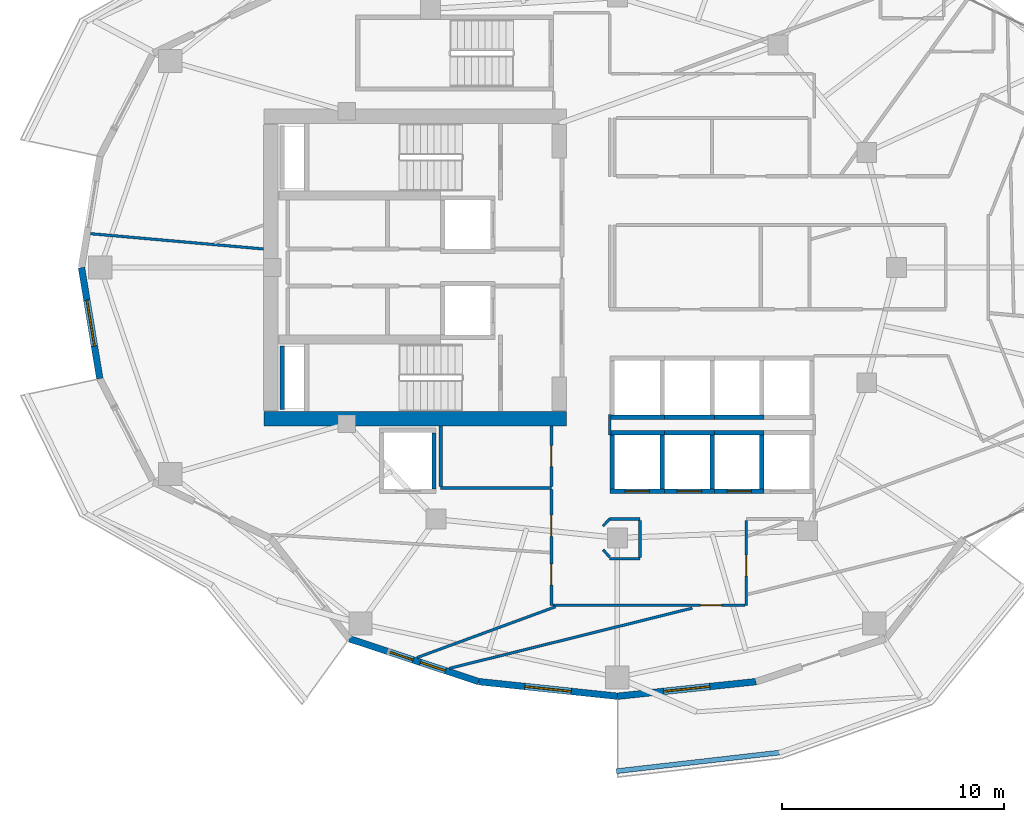
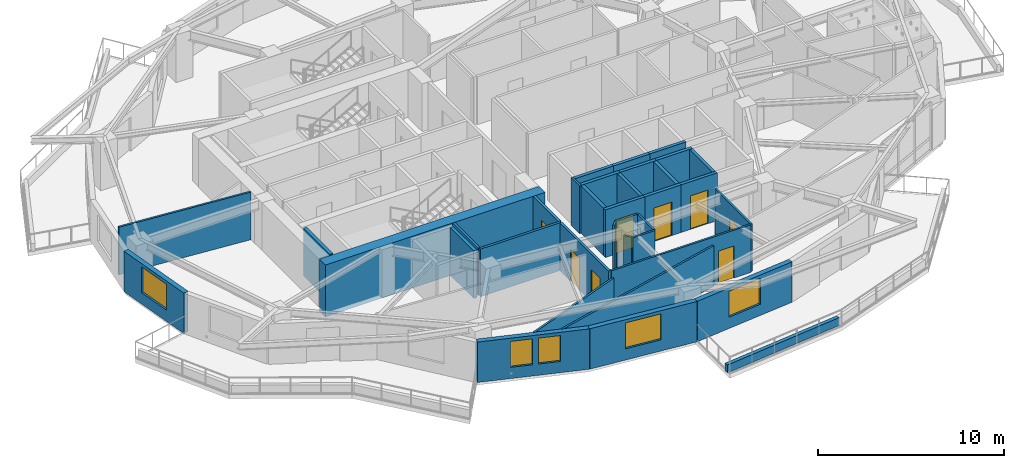
# One storey, part 6 of 15: 36 walls, 8 doors, 5 windows, 13 openings.
"""IFC4 building model written with IfcOpenShell, lengths in metres."""

from ifc_helpers import new_model, si_unit, direction, frame, frame_2d, origin, place, context, subcontext, project, spatial, rectangle, extrude, material, layer, layer_set, type_object, element, fill, save


model = new_model("IFC4")

# Units and contexts
model_context = context("Model", 3, precision=1e-05, world=origin(), true_north=direction((0.0, 1.0)))
body_context = subcontext(model_context, "Body", "Model", "MODEL_VIEW")
ifc_project = project(units=[si_unit("LENGTHUNIT", "METRE"), si_unit("AREAUNIT", "SQUARE_METRE"), si_unit("VOLUMEUNIT", "CUBIC_METRE"), si_unit("PLANEANGLEUNIT", "RADIAN"), si_unit("MASSUNIT", "GRAM", prefix="KILO")], contexts=[model_context])

# Site, building, storey
site_placement = place(None, origin())
site = spatial("IfcSite", under=ifc_project, at=site_placement, CompositionType="ELEMENT")
building_placement = place(site_placement, origin())
building = spatial("IfcBuilding", under=site, at=building_placement, Name="Kolvaren Gate Tower and Convention Centre", CompositionType="ELEMENT")
storey_placement = place(building_placement, frame((0.0, 0.0, 129.10009765625)))
storey = spatial("IfcBuildingStorey", under=building, at=storey_placement, Name="L32", CompositionType="ELEMENT", Elevation=129.10009765625)

# Wall
ifc_material_1 = material(Name="Fire-Rated Acoustic Gypsum Stud Partition", Category="gypsum")
ifc_layer_1 = layer(ifc_material_1, 0.1201171875)
ifc_layer_set_1 = layer_set([ifc_layer_1], Name="Fire-Rated Acoustic Gypsum Stud Partition")
wall_type_1 = type_object("IfcWallType", Name="ARCH-WL-PART-120", PredefinedType="PARTITIONING", material=ifc_layer_set_1)
wall_1_placement = place(storey_placement, frame((29.780029296875, 15.64990234375, 0.0), z_axis=(0.0, 0.0, 1.0), x_axis=(1.0, 0.0, 0.0)))
element("IfcWall", 1, at=wall_1_placement, inside=storey, type_object=wall_type_1, Name="Interior Partition WL-L32-INT-024", PredefinedType="PARTITIONING", context=body_context, shape_type="SweptSolid", body=[
    extrude(rectangle(XDim=1.369873046875, YDim=0.1201171875, at=frame_2d((0.68505859375, 0.0))), origin(), (0.0, 0.0, 1.0), 3.1298828125),
])

# Wall, opening, door
wall_2_placement = place(storey_placement, frame((35.949951171875, 11.75, 0.0), z_axis=(0.0, 0.0, 1.0), x_axis=(0.0, 1.0, 0.0)))
wall_2 = element("IfcWall", 2, at=wall_2_placement, inside=storey, type_object=wall_type_1, Name="Interior Partition WL-L32-INT-026", PredefinedType="PARTITIONING", context=body_context, shape_type="SweptSolid", body=[
    extrude(rectangle(XDim=3.837890625, YDim=0.1201171875, at=frame_2d((1.9189453125, 0.0))), origin(), (0.0, 0.0, 1.0), 3.1298828125),
])
opening_1_placement = place(wall_2_placement, frame((1.32275390625, 0.0, 0.0)))
opening_1 = element("IfcOpeningElement", 3, at=opening_1_placement, cuts=wall_2, Name="Opening DR-01", PredefinedType="OPENING", context=body_context, shape_type="SweptSolid", body=[
    extrude(rectangle(XDim=0.949951171875, YDim=2.10009765625, at=frame_2d((0.47509765625, 1.050048828125))), frame((0.0, 0.070068359375, 0.0), z_axis=(0.0, -1.0, 0.0), x_axis=(1.0, 0.0, 0.0)), (0.0, 0.0, 1.0), 0.14013671875),
])
ifc_material_2 = material(Name="Painted Architectural Steelwork ASTM A500 Grade C 345 MPa", Category="steel")
door_type_1 = type_object("IfcDoorType", Name="ARCH-DR-RISER-950", OperationType="SINGLE_SWING_RIGHT", PredefinedType="DOOR", material=ifc_material_2)
door_1_placement = place(opening_1_placement, origin())
door_1 = element("IfcDoor", 4, at=door_1_placement, inside=storey, type_object=door_type_1, Name="Wellness Sauna and Yoga Clubroom Door", OperationType="SINGLE_SWING_RIGHT", OverallHeight=2.10009765625, OverallWidth=0.949951171875, PredefinedType="DOOR", context=body_context, shape_type="SweptSolid", body=[
    extrude(rectangle(XDim=0.949951171875, YDim=2.10009765625, at=frame_2d((0.47509765625, 1.050048828125))), frame((0.0, 0.02490234375, 0.0), z_axis=(0.0, -1.0, 0.0), x_axis=(1.0, 0.0, 0.0)), (0.0, 0.0, 1.0), 0.050048828125),
])
fill(opening_1, door_1)

wall_3_placement = place(storey_placement, frame((27.22705078125, 11.75, 0.0), z_axis=(0.0, 0.0, 1.0), x_axis=(1.0, 0.0, 0.0)))
wall_3 = element("IfcWall", 5, at=wall_3_placement, inside=storey, type_object=wall_type_1, Name="Interior Partition WL-L32-INT-027", PredefinedType="PARTITIONING", context=body_context, shape_type="SweptSolid", body=[
    extrude(rectangle(XDim=8.660888671875, YDim=0.1201171875, at=frame_2d((4.33056640625, 0.0))), origin(), (0.0, 0.0, 1.0), 3.1298828125),
])
opening_2_placement = place(wall_3_placement, frame((6.65869140625, 0.0, 0.0)))
opening_2 = element("IfcOpeningElement", 6, at=opening_2_placement, cuts=wall_3, Name="Opening DR-01", PredefinedType="OPENING", context=body_context, shape_type="SweptSolid", body=[
    extrude(rectangle(XDim=0.949951171875, YDim=2.10009765625, at=frame_2d((0.47509765625, 1.050048828125))), frame((0.0, 0.070068359375, 0.0), z_axis=(0.0, -1.0, 0.0), x_axis=(1.0, 0.0, 0.0)), (0.0, 0.0, 1.0), 0.14013671875),
])
door_2_placement = place(opening_2_placement, origin())
door_2 = element("IfcDoor", 7, at=door_2_placement, inside=storey, type_object=door_type_1, Name="Wellness Sauna and Yoga Clubroom Door", OperationType="SINGLE_SWING_LEFT", OverallHeight=2.10009765625, OverallWidth=0.949951171875, PredefinedType="DOOR", context=body_context, shape_type="SweptSolid", body=[
    extrude(rectangle(XDim=0.949951171875, YDim=2.10009765625, at=frame_2d((0.47509765625, 1.050048828125))), frame((0.0, 0.02490234375, 0.0), z_axis=(0.0, -1.0, 0.0), x_axis=(1.0, 0.0, 0.0)), (0.0, 0.0, 1.0), 0.050048828125),
])
fill(opening_2, door_2)

# Walls
wall_4_placement = place(storey_placement, frame((29.780029296875, 19.43994140625, 0.0), z_axis=(0.0, 0.0, 1.0), x_axis=(0.0, 1.0, 0.0)))
element("IfcWall", 8, at=wall_4_placement, inside=storey, type_object=wall_type_1, Name="Interior Partition WL-L32-INT-030", PredefinedType="PARTITIONING", context=body_context, shape_type="SweptSolid", body=[
    extrude(rectangle(XDim=0.920166015625, YDim=0.1201171875, at=frame_2d((0.4599609375, 0.0))), origin(), (0.0, 0.0, 1.0), 3.1298828125),
])
wall_5_placement = place(storey_placement, frame((29.47607421875, 15.3330078125, 0.0), z_axis=(0.0, 0.0, 1.0), x_axis=(0.692219273951, 0.721687243043, 0.0)))
element("IfcWall", 9, at=wall_5_placement, inside=storey, type_object=wall_type_1, Name="Interior Partition WL-L32-INT-044", PredefinedType="PARTITIONING", context=body_context, shape_type="SweptSolid", body=[
    extrude(rectangle(XDim=0.439208984375, YDim=0.1201171875, at=frame_2d((0.2197265625, 0.0))), origin(), (0.0, 0.0, 1.0), 3.1298828125),
])
wall_6_placement = place(storey_placement, frame((29.47607421875, 14.26708984375, 0.0), z_axis=(0.0, 0.0, 1.0), x_axis=(0.670659392016, -0.741765448037, 0.0)))
element("IfcWall", 10, at=wall_6_placement, inside=storey, type_object=wall_type_1, Name="Interior Partition WL-L32-INT-045", PredefinedType="PARTITIONING", context=body_context, shape_type="SweptSolid", body=[
    extrude(rectangle(XDim=0.453125, YDim=0.1201171875, at=frame_2d((0.2265625, 0.0))), origin(), (0.0, 0.0, 1.0), 3.1298828125),
])
wall_7_placement = place(storey_placement, frame((29.780029296875, 13.85009765625, 0.0), z_axis=(0.0, 0.0, 1.0), x_axis=(1.0, 0.0, 0.0)))
element("IfcWall", 11, at=wall_7_placement, inside=storey, type_object=wall_type_1, Name="Interior Partition WL-L32-INT-046", PredefinedType="PARTITIONING", context=body_context, shape_type="SweptSolid", body=[
    extrude(rectangle(XDim=1.369873046875, YDim=0.1201171875, at=frame_2d((0.68505859375, 0.0))), origin(), (0.0, 0.0, 1.0), 3.1298828125),
])
wall_8_placement = place(storey_placement, frame((31.14990234375, 13.912109375, 0.0), z_axis=(0.0, 0.0, 1.0), x_axis=(0.0, 1.0, 0.0)))
element("IfcWall", 12, at=wall_8_placement, inside=storey, type_object=wall_type_1, Name="Interior Partition WL-L32-INT-047", PredefinedType="PARTITIONING", context=body_context, shape_type="SweptSolid", body=[
    extrude(rectangle(XDim=1.67578125, YDim=0.1201171875, at=frame_2d((0.837890625, 0.0))), origin(), (0.0, 0.0, 1.0), 3.1298828125),
])
wall_9_placement = place(storey_placement, frame((6.34326171875, 28.529541015625, 0.0), z_axis=(0.0, 0.0, 1.0), x_axis=(0.996118126143, -0.088026579903, 0.0)))
element("IfcWall", 13, at=wall_9_placement, inside=storey, type_object=wall_type_1, Name="Interior Partition WL-L32-INT-048", PredefinedType="PARTITIONING", context=body_context, shape_type="SweptSolid", body=[
    extrude(rectangle(XDim=7.835205078125, YDim=0.1201171875, at=frame_2d((3.91748046875, 0.0))), origin(), (0.0, 0.0, 1.0), 3.1298828125),
])
wall_10_placement = place(storey_placement, frame((21.078369140625, 9.392822265625, 0.0), z_axis=(0.0, 0.0, 1.0), x_axis=(0.938728109135, 0.344658580511, 0.0)))
element("IfcWall", 14, at=wall_10_placement, inside=storey, type_object=wall_type_1, Name="Interior Partition WL-L32-INT-051", PredefinedType="PARTITIONING", context=body_context, shape_type="SweptSolid", body=[
    extrude(rectangle(XDim=6.6591796875, YDim=0.1201171875, at=frame_2d((3.32958984375, 0.0))), origin(), (0.0, 0.0, 1.0), 2.65283203125),
])
wall_11_placement = place(storey_placement, frame((22.543212890625, 8.907470703125, 0.0), z_axis=(0.0, 0.0, 1.0), x_axis=(0.970574423873, 0.240801344938, 0.0)))
element("IfcWall", 15, at=wall_11_placement, inside=storey, type_object=wall_type_1, Name="Interior Partition WL-L32-INT-054", PredefinedType="PARTITIONING", context=body_context, shape_type="SweptSolid", body=[
    extrude(rectangle(XDim=11.297607421875, YDim=0.1201171875, at=frame_2d((5.64892578125, 0.0))), origin(), (0.0, 0.0, 1.0), 2.65283203125),
])
ifc_material_3 = material(Name="Piedmont Cream Honed Limestone Cladding", Category="masonry")
ifc_layer_2 = layer(ifc_material_3, 0.219970703125)
ifc_layer_set_2 = layer_set([ifc_layer_2], Name="Piedmont Cream Honed Limestone Cladding")
wall_type_2 = type_object("IfcWallType", Name="ARCH-WL-PLANTER-220", PredefinedType="PARAPET", material=ifc_layer_set_2)
wall_12_placement = place(storey_placement, frame((30.07958984375, 4.266357421875, 0.0), z_axis=(0.0, 0.0, 1.0), x_axis=(0.993527615836, 0.11359082961, 0.0)))
element("IfcWall", 16, at=wall_12_placement, inside=storey, type_object=wall_type_2, Name="Vertical-Forest Balcony Stone Planter Kerb PK-L32-3.1", PredefinedType="PARAPET", context=body_context, shape_type="SweptSolid", body=[
    extrude(rectangle(XDim=7.470947265625, YDim=0.219970703125, at=frame_2d((3.7353515625, 0.0))), origin(), (0.0, 0.0, 1.0), 0.52001953125),
])
ifc_material_4 = material(Name="Autoclaved Aerated Masonry Blockwork Class 4 (4.0 MPa)", Category="masonry")
ifc_layer_3 = layer(ifc_material_4, 0.199951171875)
ifc_layer_set_3 = layer_set([ifc_layer_3], Name="Autoclaved Aerated Masonry Blockwork Class 4 (4.0 MPa)")
wall_type_3 = type_object("IfcWallType", Name="ARCH-WL-SHAFT-200", PredefinedType="SOLIDWALL", material=ifc_layer_set_3)
wall_13_placement = place(storey_placement, frame((21.85009765625, 17.010009765625, 0.0), z_axis=(0.0, 0.0, 1.0), x_axis=(0.0, 1.0, 0.0)))
element("IfcWall", 17, at=wall_13_placement, inside=storey, type_object=wall_type_3, Name="Elevator SV-01 L32 Fire Shaft Wall E", PredefinedType="SOLIDWALL", context=body_context, shape_type="SweptSolid", body=[
    extrude(rectangle(XDim=2.530029296875, YDim=0.199951171875, at=frame_2d((1.26513671875, 0.0))), origin(), (0.0, 0.0, 1.0), 3.1298828125),
])
wall_14_placement = place(storey_placement, frame((29.800048828125, 19.550048828125, 0.0), z_axis=(0.0, 0.0, 1.0), x_axis=(1.0, 0.0, 0.0)))
element("IfcWall", 18, at=wall_14_placement, inside=storey, type_object=wall_type_3, Name="Elevator PL-05 L32 Fire Shaft Wall N", PredefinedType="SOLIDWALL", context=body_context, shape_type="SweptSolid", body=[
    extrude(rectangle(XDim=2.449951171875, YDim=0.199951171875, at=frame_2d((1.22509765625, 0.0))), origin(), (0.0, 0.0, 1.0), 3.1298828125),
])

# Wall, opening, door
wall_15_placement = place(storey_placement, frame((29.800048828125, 16.89990234375, 0.0), z_axis=(0.0, 0.0, 1.0), x_axis=(1.0, 0.0, 0.0)))
wall_15 = element("IfcWall", 19, at=wall_15_placement, inside=storey, type_object=wall_type_3, Name="Elevator PL-05 L32 Fire Shaft Wall S", PredefinedType="SOLIDWALL", context=body_context, shape_type="SweptSolid", body=[
    extrude(rectangle(XDim=2.449951171875, YDim=0.199951171875, at=frame_2d((1.22509765625, 0.0))), origin(), (0.0, 0.0, 1.0), 3.1298828125),
])
opening_3_placement = place(wall_15_placement, frame((0.675048828125, 0.0, 0.0)))
opening_3 = element("IfcOpeningElement", 20, at=opening_3_placement, cuts=wall_15, Name="Opening LD", PredefinedType="OPENING", context=body_context, shape_type="SweptSolid", body=[
    extrude(rectangle(XDim=1.10009765625, YDim=2.199951171875, at=frame_2d((0.550048828125, 1.10009765625))), frame((0.0, 0.10986328125, 0.0), z_axis=(0.0, -1.0, 0.0), x_axis=(1.0, 0.0, 0.0)), (0.0, 0.0, 1.0), 0.219970703125),
])
ifc_material_5 = material(Name="Brushed Stainless Steel Grade 316L", Category="steel")
door_type_2 = type_object("IfcDoorType", Name="ARCH-DR-LIFT-1100", OperationType="SLIDING_TO_LEFT", PredefinedType="DOOR", material=ifc_material_5)
door_3_placement = place(opening_3_placement, origin())
door_3 = element("IfcDoor", 21, at=door_3_placement, inside=storey, type_object=door_type_2, Name="Elevator PL-05 L32 Sliding Landing Door", OperationType="SLIDING_TO_LEFT", OverallHeight=2.199951171875, OverallWidth=1.10009765625, PredefinedType="DOOR", context=body_context, shape_type="SweptSolid", body=[
    extrude(rectangle(XDim=1.10009765625, YDim=2.199951171875, at=frame_2d((0.550048828125, 1.10009765625))), frame((0.0, 0.02490234375, 0.0), z_axis=(0.0, -1.0, 0.0), x_axis=(1.0, 0.0, 0.0)), (0.0, 0.0, 1.0), 0.050048828125),
])
fill(opening_3, door_3)

# Walls
for number, where, z_axis, x_axis, name in (
    (22, (29.89990234375, 17.010009765625, 0.0), (0.0, 0.0, 1.0), (0.0, 1.0, 0.0), "Elevator PL-05 L32 Fire Shaft Wall W"),
    (23, (32.14990234375, 17.010009765625, 0.0), (0.0, 0.0, 1.0), (0.0, 1.0, 0.0), "Elevator PL-05 L32 Fire Shaft Wall E"),
):
    element("IfcWall", number, at=place(storey_placement, frame(where, z_axis=z_axis, x_axis=x_axis)), inside=storey, type_object=wall_type_3, Name=name, PredefinedType="SOLIDWALL", context=body_context, shape_type="SweptSolid", body=[
        extrude(rectangle(XDim=2.429931640625, YDim=0.199951171875, at=frame_2d((1.21484375, 0.0))), origin(), (0.0, 0.0, 1.0), 3.1298828125),
    ])
wall_16_placement = place(storey_placement, frame((32.25, 19.550048828125, 0.0), z_axis=(0.0, 0.0, 1.0), x_axis=(1.0, 0.0, 0.0)))
element("IfcWall", 24, at=wall_16_placement, inside=storey, type_object=wall_type_3, Name="Elevator PL-06 L32 Fire Shaft Wall N", PredefinedType="SOLIDWALL", context=body_context, shape_type="SweptSolid", body=[
    extrude(rectangle(XDim=2.25, YDim=0.199951171875, at=frame_2d((1.125, 0.0))), origin(), (0.0, 0.0, 1.0), 3.1298828125),
])

# Wall, opening, door
wall_17_placement = place(storey_placement, frame((32.25, 16.89990234375, 0.0), z_axis=(0.0, 0.0, 1.0), x_axis=(1.0, 0.0, 0.0)))
wall_17 = element("IfcWall", 25, at=wall_17_placement, inside=storey, type_object=wall_type_3, Name="Elevator PL-06 L32 Fire Shaft Wall S", PredefinedType="SOLIDWALL", context=body_context, shape_type="SweptSolid", body=[
    extrude(rectangle(XDim=2.25, YDim=0.199951171875, at=frame_2d((1.125, 0.0))), origin(), (0.0, 0.0, 1.0), 3.1298828125),
])
opening_4_placement = place(wall_17_placement, frame((0.574951171875, 0.0, 0.0)))
opening_4 = element("IfcOpeningElement", 26, at=opening_4_placement, cuts=wall_17, Name="Opening LD", PredefinedType="OPENING", context=body_context, shape_type="SweptSolid", body=[
    extrude(rectangle(XDim=1.10009765625, YDim=2.199951171875, at=frame_2d((0.550048828125, 1.10009765625))), frame((0.0, 0.10986328125, 0.0), z_axis=(0.0, -1.0, 0.0), x_axis=(1.0, 0.0, 0.0)), (0.0, 0.0, 1.0), 0.219970703125),
])
door_4_placement = place(opening_4_placement, origin())
door_4 = element("IfcDoor", 27, at=door_4_placement, inside=storey, type_object=door_type_2, Name="Elevator PL-06 L32 Sliding Landing Door", OperationType="SLIDING_TO_LEFT", OverallHeight=2.199951171875, OverallWidth=1.10009765625, PredefinedType="DOOR", context=body_context, shape_type="SweptSolid", body=[
    extrude(rectangle(XDim=1.10009765625, YDim=2.199951171875, at=frame_2d((0.550048828125, 1.10009765625))), frame((0.0, 0.02490234375, 0.0), z_axis=(0.0, -1.0, 0.0), x_axis=(1.0, 0.0, 0.0)), (0.0, 0.0, 1.0), 0.050048828125),
])
fill(opening_4, door_4)

# Walls
wall_18_placement = place(storey_placement, frame((34.39990234375, 17.010009765625, 0.0), z_axis=(0.0, 0.0, 1.0), x_axis=(0.0, 1.0, 0.0)))
element("IfcWall", 28, at=wall_18_placement, inside=storey, type_object=wall_type_3, Name="Elevator PL-06 L32 Fire Shaft Wall E", PredefinedType="SOLIDWALL", context=body_context, shape_type="SweptSolid", body=[
    extrude(rectangle(XDim=2.429931640625, YDim=0.199951171875, at=frame_2d((1.21484375, 0.0))), origin(), (0.0, 0.0, 1.0), 3.1298828125),
])
wall_19_placement = place(storey_placement, frame((34.5, 19.550048828125, 0.0), z_axis=(0.0, 0.0, 1.0), x_axis=(1.0, 0.0, 0.0)))
element("IfcWall", 29, at=wall_19_placement, inside=storey, type_object=wall_type_3, Name="Elevator PL-07 L32 Fire Shaft Wall N", PredefinedType="SOLIDWALL", context=body_context, shape_type="SweptSolid", body=[
    extrude(rectangle(XDim=2.25, YDim=0.199951171875, at=frame_2d((1.125, 0.0))), origin(), (0.0, 0.0, 1.0), 3.1298828125),
])

# Wall, opening, door
wall_20_placement = place(storey_placement, frame((34.5, 16.89990234375, 0.0), z_axis=(0.0, 0.0, 1.0), x_axis=(1.0, 0.0, 0.0)))
wall_20 = element("IfcWall", 30, at=wall_20_placement, inside=storey, type_object=wall_type_3, Name="Elevator PL-07 L32 Fire Shaft Wall S", PredefinedType="SOLIDWALL", context=body_context, shape_type="SweptSolid", body=[
    extrude(rectangle(XDim=2.25, YDim=0.199951171875, at=frame_2d((1.125, 0.0))), origin(), (0.0, 0.0, 1.0), 3.1298828125),
])
opening_5_placement = place(wall_20_placement, frame((0.574951171875, 0.0, 0.0)))
opening_5 = element("IfcOpeningElement", 31, at=opening_5_placement, cuts=wall_20, Name="Opening LD", PredefinedType="OPENING", context=body_context, shape_type="SweptSolid", body=[
    extrude(rectangle(XDim=1.10009765625, YDim=2.199951171875, at=frame_2d((0.550048828125, 1.10009765625))), frame((0.0, 0.10986328125, 0.0), z_axis=(0.0, -1.0, 0.0), x_axis=(1.0, 0.0, 0.0)), (0.0, 0.0, 1.0), 0.219970703125),
])
door_5_placement = place(opening_5_placement, origin())
door_5 = element("IfcDoor", 32, at=door_5_placement, inside=storey, type_object=door_type_2, Name="Elevator PL-07 L32 Sliding Landing Door", OperationType="SLIDING_TO_LEFT", OverallHeight=2.199951171875, OverallWidth=1.10009765625, PredefinedType="DOOR", context=body_context, shape_type="SweptSolid", body=[
    extrude(rectangle(XDim=1.10009765625, YDim=2.199951171875, at=frame_2d((0.550048828125, 1.10009765625))), frame((0.0, 0.02490234375, 0.0), z_axis=(0.0, -1.0, 0.0), x_axis=(1.0, 0.0, 0.0)), (0.0, 0.0, 1.0), 0.050048828125),
])
fill(opening_5, door_5)

# Walls
wall_21_placement = place(storey_placement, frame((36.64990234375, 17.010009765625, 0.0), z_axis=(0.0, 0.0, 1.0), x_axis=(0.0, 1.0, 0.0)))
element("IfcWall", 33, at=wall_21_placement, inside=storey, type_object=wall_type_3, Name="Elevator PL-07 L32 Fire Shaft Wall E", PredefinedType="SOLIDWALL", context=body_context, shape_type="SweptSolid", body=[
    extrude(rectangle(XDim=2.429931640625, YDim=0.199951171875, at=frame_2d((1.21484375, 0.0))), origin(), (0.0, 0.0, 1.0), 3.1298828125),
])
wall_22_placement = place(storey_placement, frame((29.800048828125, 20.25, 0.0), z_axis=(0.0, 0.0, 1.0), x_axis=(1.0, 0.0, 0.0)))
element("IfcWall", 34, at=wall_22_placement, inside=storey, type_object=wall_type_3, Name="Elevator PL-09 L32 Fire Shaft Wall S", PredefinedType="SOLIDWALL", context=body_context, shape_type="SweptSolid", body=[
    extrude(rectangle(XDim=2.449951171875, YDim=0.199951171875, at=frame_2d((1.22509765625, 0.0))), origin(), (0.0, 0.0, 1.0), 3.1298828125),
])
for number, where, z_axis, x_axis, name in (
    (35, (32.25, 20.25, 0.0), (0.0, 0.0, 1.0), (1.0, 0.0, 0.0), "Elevator PL-10 L32 Fire Shaft Wall S"),
    (36, (34.5, 20.25, 0.0), (0.0, 0.0, 1.0), (1.0, 0.0, 0.0), "Elevator PL-11 L32 Fire Shaft Wall S"),
):
    element("IfcWall", number, at=place(storey_placement, frame(where, z_axis=z_axis, x_axis=x_axis)), inside=storey, type_object=wall_type_3, Name=name, PredefinedType="SOLIDWALL", context=body_context, shape_type="SweptSolid", body=[
        extrude(rectangle(XDim=2.25, YDim=0.199951171875, at=frame_2d((1.125, 0.0))), origin(), (0.0, 0.0, 1.0), 3.1298828125),
    ])
wall_23_placement = place(storey_placement, frame((14.989990234375, 20.60009765625, 0.0), z_axis=(0.0, 0.0, 1.0), x_axis=(0.0, 1.0, 0.0)))
element("IfcWall", 37, at=wall_23_placement, inside=storey, type_object=wall_type_3, Name="Vertical Shaft MPR L32 EI-120 Enclosure Wall W", PredefinedType="SOLIDWALL", context=body_context, shape_type="SweptSolid", body=[
    extrude(rectangle(XDim=2.849853515625, YDim=0.199951171875, at=frame_2d((1.4248046875, 0.0))), origin(), (0.0, 0.0, 1.0), 3.1298828125),
])

# Wall, opening, window
ifc_layer_4 = layer(ifc_material_3, 0.300048828125)
ifc_layer_set_4 = layer_set([ifc_layer_4], Name="Piedmont Cream Honed Limestone Cladding")
wall_type_4 = type_object("IfcWallType", Name="ARCH-WL-STONE-300", PredefinedType="SOLIDWALL", material=ifc_layer_set_4)
wall_24_placement = place(storey_placement, frame((5.9375, 27.0, 0.0), z_axis=(0.0, 0.0, 1.0), x_axis=(0.162393944769, -0.986726003864, 0.0)))
wall_24 = element("IfcWall", 38, at=wall_24_placement, inside=storey, type_object=wall_type_4, Name="Tower L32 Honed Stone Spandrel Wall EW-12", PredefinedType="SOLIDWALL", context=body_context, shape_type="SweptSolid", body=[
    extrude(rectangle(XDim=5.075439453125, YDim=0.300048828125, at=frame_2d((2.53759765625, 0.0))), origin(), (0.0, 0.0, 1.0), 2.65283203125),
])
opening_6_placement = place(wall_24_placement, frame((1.488037109375, 0.0, 0.739990234375)))
opening_6 = element("IfcOpeningElement", 39, at=opening_6_placement, cuts=wall_24, Name="Opening W-02", PredefinedType="OPENING", context=body_context, shape_type="SweptSolid", body=[
    extrude(rectangle(XDim=2.10009765625, YDim=1.699951171875, at=frame_2d((1.050048828125, 0.85009765625))), frame((0.0, 0.159912109375, 0.0), z_axis=(0.0, -1.0, 0.0), x_axis=(1.0, 0.0, 0.0)), (0.0, 0.0, 1.0), 0.320068359375),
])
ifc_material_6 = material(Name="Low-E Triple Insulated Glazing Unit 44 mm", Category="glass")
window_type_1 = type_object("IfcWindowType", Name="ARCH-WN-HTL-2100", PartitioningType="SINGLE_PANEL", PredefinedType="WINDOW", material=ifc_material_6)
window_1_placement = place(opening_6_placement, origin())
window_1 = element("IfcWindow", 40, at=window_1_placement, inside=storey, type_object=window_type_1, Name="Tower L32 Punched Stone Facade Window W-12", OverallHeight=1.699951171875, OverallWidth=2.10009765625, PartitioningType="SINGLE_PANEL", PredefinedType="WINDOW", context=body_context, shape_type="SweptSolid", body=[
    extrude(rectangle(XDim=2.10009765625, YDim=1.699951171875, at=frame_2d((1.050048828125, 0.85009765625))), frame((0.0, 0.030029296875, 0.0), z_axis=(0.0, -1.0, 0.0), x_axis=(1.0, 0.0, 0.0)), (0.0, 0.0, 1.0), 0.06005859375),
])
fill(opening_6, window_1)

# Wall, openings, windows
wall_25_placement = place(storey_placement, frame((18.03125, 10.242431640625, 0.0), z_axis=(0.0, 0.0, 1.0), x_axis=(0.949238009374, -0.314558741032, 0.0)))
wall_25 = element("IfcWall", 41, at=wall_25_placement, inside=storey, type_object=wall_type_4, Name="Tower L32 Honed Stone Spandrel Wall EW-16", PredefinedType="SOLIDWALL", context=body_context, shape_type="SweptSolid", body=[
    extrude(rectangle(XDim=6.1455078125, YDim=0.300048828125, at=frame_2d((3.07275390625, 0.0))), origin(), (0.0, 0.0, 1.0), 2.65283203125),
])
opening_7_placement = place(wall_25_placement, frame((1.82958984375, 0.0, 0.739990234375)))
opening_7 = element("IfcOpeningElement", 42, at=opening_7_placement, cuts=wall_25, Name="Opening W-04", PredefinedType="OPENING", context=body_context, shape_type="SweptSolid", body=[
    extrude(rectangle(XDim=1.199951171875, YDim=1.699951171875, at=frame_2d((0.60009765625, 0.85009765625))), frame((0.0, 0.159912109375, 0.0), z_axis=(0.0, -1.0, 0.0), x_axis=(1.0, 0.0, 0.0)), (0.0, 0.0, 1.0), 0.320068359375),
])
opening_8_placement = place(wall_25_placement, frame((3.368896484375, 0.0, 0.739990234375)))
opening_8 = element("IfcOpeningElement", 43, at=opening_8_placement, cuts=wall_25, Name="Opening W-04", PredefinedType="OPENING", context=body_context, shape_type="SweptSolid", body=[
    extrude(rectangle(XDim=1.199951171875, YDim=1.699951171875, at=frame_2d((0.60009765625, 0.85009765625))), frame((0.0, 0.159912109375, 0.0), z_axis=(0.0, -1.0, 0.0), x_axis=(1.0, 0.0, 0.0)), (0.0, 0.0, 1.0), 0.320068359375),
])
window_type_2 = type_object("IfcWindowType", Name="ARCH-WN-NARROW-1200", PartitioningType="SINGLE_PANEL", PredefinedType="WINDOW", material=ifc_material_6)
window_2_placement = place(opening_7_placement, origin())
window_2 = element("IfcWindow", 44, at=window_2_placement, inside=storey, type_object=window_type_2, Name="Tower L32 Punched Stone Facade Window W-16", OverallHeight=1.699951171875, OverallWidth=1.199951171875, PartitioningType="SINGLE_PANEL", PredefinedType="WINDOW", context=body_context, shape_type="SweptSolid", body=[
    extrude(rectangle(XDim=1.199951171875, YDim=1.699951171875, at=frame_2d((0.60009765625, 0.85009765625))), frame((0.0, 0.030029296875, 0.0), z_axis=(0.0, -1.0, 0.0), x_axis=(1.0, 0.0, 0.0)), (0.0, 0.0, 1.0), 0.06005859375),
])
fill(opening_7, window_2)
window_3_placement = place(opening_8_placement, origin())
window_3 = element("IfcWindow", 45, at=window_3_placement, inside=storey, type_object=window_type_2, Name="Tower L32 Punched Stone Facade Window W-16B", OverallHeight=1.699951171875, OverallWidth=1.199951171875, PartitioningType="SINGLE_PANEL", PredefinedType="WINDOW", context=body_context, shape_type="SweptSolid", body=[
    extrude(rectangle(XDim=1.199951171875, YDim=1.699951171875, at=frame_2d((0.60009765625, 0.85009765625))), frame((0.0, 0.030029296875, 0.0), z_axis=(0.0, -1.0, 0.0), x_axis=(1.0, 0.0, 0.0)), (0.0, 0.0, 1.0), 0.06005859375),
])
fill(opening_8, window_3)

# Wall, opening, window
wall_26_placement = place(storey_placement, frame((23.86474609375, 8.309326171875, 0.0), z_axis=(0.0, 0.0, 1.0), x_axis=(0.994498012394, -0.104755445421, 0.0)))
wall_26 = element("IfcWall", 46, at=wall_26_placement, inside=storey, type_object=wall_type_4, Name="Tower L32 Honed Stone Spandrel Wall EW-17", PredefinedType="SOLIDWALL", context=body_context, shape_type="SweptSolid", body=[
    extrude(rectangle(XDim=6.294921875, YDim=0.300048828125, at=frame_2d((3.1474609375, 0.0))), origin(), (0.0, 0.0, 1.0), 2.65283203125),
])
opening_9_placement = place(wall_26_placement, frame((2.096923828125, 0.0, 0.739990234375)))
opening_9 = element("IfcOpeningElement", 47, at=opening_9_placement, cuts=wall_26, Name="Opening W-02", PredefinedType="OPENING", context=body_context, shape_type="SweptSolid", body=[
    extrude(rectangle(XDim=2.10009765625, YDim=1.699951171875, at=frame_2d((1.050048828125, 0.85009765625))), frame((0.0, 0.159912109375, 0.0), z_axis=(0.0, -1.0, 0.0), x_axis=(1.0, 0.0, 0.0)), (0.0, 0.0, 1.0), 0.320068359375),
])
window_4_placement = place(opening_9_placement, origin())
window_4 = element("IfcWindow", 48, at=window_4_placement, inside=storey, type_object=window_type_1, Name="Tower L32 Punched Stone Facade Window W-17", OverallHeight=1.699951171875, OverallWidth=2.10009765625, PartitioningType="SINGLE_PANEL", PredefinedType="WINDOW", context=body_context, shape_type="SweptSolid", body=[
    extrude(rectangle(XDim=2.10009765625, YDim=1.699951171875, at=frame_2d((1.050048828125, 0.85009765625))), frame((0.0, 0.030029296875, 0.0), z_axis=(0.0, -1.0, 0.0), x_axis=(1.0, 0.0, 0.0)), (0.0, 0.0, 1.0), 0.06005859375),
])
fill(opening_9, window_4)

wall_27_placement = place(storey_placement, frame((30.125, 7.64990234375, 0.0), z_axis=(0.0, 0.0, 1.0), x_axis=(0.994498012394, 0.104755445421, 0.0)))
wall_27 = element("IfcWall", 49, at=wall_27_placement, inside=storey, type_object=wall_type_4, Name="Tower L32 Honed Stone Spandrel Wall EW-18", PredefinedType="SOLIDWALL", context=body_context, shape_type="SweptSolid", body=[
    extrude(rectangle(XDim=6.294921875, YDim=0.300048828125, at=frame_2d((3.1474609375, 0.0))), origin(), (0.0, 0.0, 1.0), 2.65283203125),
])
opening_10_placement = place(wall_27_placement, frame((2.096923828125, 0.0, 0.739990234375)))
opening_10 = element("IfcOpeningElement", 50, at=opening_10_placement, cuts=wall_27, Name="Opening W-02", PredefinedType="OPENING", context=body_context, shape_type="SweptSolid", body=[
    extrude(rectangle(XDim=2.10009765625, YDim=1.699951171875, at=frame_2d((1.050048828125, 0.85009765625))), frame((0.0, 0.159912109375, 0.0), z_axis=(0.0, -1.0, 0.0), x_axis=(1.0, 0.0, 0.0)), (0.0, 0.0, 1.0), 0.320068359375),
])
window_5_placement = place(opening_10_placement, origin())
window_5 = element("IfcWindow", 51, at=window_5_placement, inside=storey, type_object=window_type_1, Name="Tower L32 Punched Stone Facade Window W-18", OverallHeight=1.699951171875, OverallWidth=2.10009765625, PartitioningType="SINGLE_PANEL", PredefinedType="WINDOW", context=body_context, shape_type="SweptSolid", body=[
    extrude(rectangle(XDim=2.10009765625, YDim=1.699951171875, at=frame_2d((1.050048828125, 0.85009765625))), frame((0.0, 0.030029296875, 0.0), z_axis=(0.0, -1.0, 0.0), x_axis=(1.0, 0.0, 0.0)), (0.0, 0.0, 1.0), 0.06005859375),
])
fill(opening_10, window_5)

# Walls
ifc_material_7 = material(Name="Moisture-Resistant Cement-Board Acoustic Partition", Category="gypsum")
ifc_layer_5 = layer(ifc_material_7, 0.14990234375)
ifc_layer_set_5 = layer_set([ifc_layer_5], Name="Moisture-Resistant Cement-Board Acoustic Partition")
wall_type_5 = type_object("IfcWallType", Name="ARCH-WL-WET-150", PredefinedType="PARTITIONING", material=ifc_layer_set_5)
wall_28_placement = place(storey_placement, frame((22.14990234375, 17.050048828125, 0.0), z_axis=(0.0, 0.0, 1.0), x_axis=(1.0, 0.0, 0.0)))
element("IfcWall", 52, at=wall_28_placement, inside=storey, type_object=wall_type_5, Name="Interior Partition WL-L32-INT-009", PredefinedType="PARTITIONING", context=body_context, shape_type="SweptSolid", body=[
    extrude(rectangle(XDim=5.0, YDim=0.14990234375, at=frame_2d((2.5, 0.0))), origin(), (0.0, 0.0, 1.0), 3.1298828125),
])
wall_29_placement = place(storey_placement, frame((22.14990234375, 17.126953125, 0.0), z_axis=(0.0, 0.0, 1.0), x_axis=(0.0, 1.0, 0.0)))
element("IfcWall", 53, at=wall_29_placement, inside=storey, type_object=wall_type_5, Name="Interior Partition WL-L32-INT-010", PredefinedType="PARTITIONING", context=body_context, shape_type="SweptSolid", body=[
    extrude(rectangle(XDim=2.720947265625, YDim=0.14990234375, at=frame_2d((1.3603515625, 0.0))), origin(), (0.0, 0.0, 1.0), 3.1298828125),
])

# Wall, openings, doors
wall_30_placement = place(storey_placement, frame((27.14990234375, 11.75, 0.0), z_axis=(0.0, 0.0, 1.0), x_axis=(0.0, 1.0, 0.0)))
wall_30 = element("IfcWall", 54, at=wall_30_placement, inside=storey, type_object=wall_type_5, Name="Interior Partition WL-L32-INT-011", PredefinedType="PARTITIONING", context=body_context, shape_type="SweptSolid", body=[
    extrude(rectangle(XDim=5.222900390625, YDim=0.14990234375, at=frame_2d((2.611328125, 0.0))), origin(), (0.0, 0.0, 1.0), 3.1298828125),
])
opening_11_placement = place(wall_30_placement, frame((3.121337890625, 0.0, 0.0)))
opening_11 = element("IfcOpeningElement", 55, at=opening_11_placement, cuts=wall_30, Name="Opening DR-01", PredefinedType="OPENING", context=body_context, shape_type="SweptSolid", body=[
    extrude(rectangle(XDim=0.949951171875, YDim=2.10009765625, at=frame_2d((0.47509765625, 1.050048828125))), frame((0.0, 0.0849609375, 0.0), z_axis=(0.0, -1.0, 0.0), x_axis=(1.0, 0.0, 0.0)), (0.0, 0.0, 1.0), 0.169921875),
])
opening_12_placement = place(wall_30_placement, frame((0.920166015625, 0.0, 0.0)))
opening_12 = element("IfcOpeningElement", 56, at=opening_12_placement, cuts=wall_30, Name="Opening DR-01", PredefinedType="OPENING", context=body_context, shape_type="SweptSolid", body=[
    extrude(rectangle(XDim=0.949951171875, YDim=2.10009765625, at=frame_2d((0.47509765625, 1.050048828125))), frame((0.0, 0.0849609375, 0.0), z_axis=(0.0, -1.0, 0.0), x_axis=(1.0, 0.0, 0.0)), (0.0, 0.0, 1.0), 0.169921875),
])
door_6_placement = place(opening_11_placement, origin())
door_6 = element("IfcDoor", 57, at=door_6_placement, inside=storey, type_object=door_type_1, Name="Wellness Sauna and Yoga Clubroom Door", OperationType="SINGLE_SWING_LEFT", OverallHeight=2.10009765625, OverallWidth=0.949951171875, PredefinedType="DOOR", context=body_context, shape_type="SweptSolid", body=[
    extrude(rectangle(XDim=0.949951171875, YDim=2.10009765625, at=frame_2d((0.47509765625, 1.050048828125))), frame((0.0, 0.02490234375, 0.0), z_axis=(0.0, -1.0, 0.0), x_axis=(1.0, 0.0, 0.0)), (0.0, 0.0, 1.0), 0.050048828125),
])
fill(opening_11, door_6)
door_7_placement = place(opening_12_placement, origin())
door_7 = element("IfcDoor", 58, at=door_7_placement, inside=storey, type_object=door_type_1, Name="Wellness Sauna and Yoga Clubroom Door", OperationType="SINGLE_SWING_RIGHT", OverallHeight=2.10009765625, OverallWidth=0.949951171875, PredefinedType="DOOR", context=body_context, shape_type="SweptSolid", body=[
    extrude(rectangle(XDim=0.949951171875, YDim=2.10009765625, at=frame_2d((0.47509765625, 1.050048828125))), frame((0.0, 0.02490234375, 0.0), z_axis=(0.0, -1.0, 0.0), x_axis=(1.0, 0.0, 0.0)), (0.0, 0.0, 1.0), 0.050048828125),
])
fill(opening_12, door_7)

# Wall, opening, door
wall_31_placement = place(storey_placement, frame((27.14990234375, 17.126953125, 0.0), z_axis=(0.0, 0.0, 1.0), x_axis=(0.0, 1.0, 0.0)))
wall_31 = element("IfcWall", 59, at=wall_31_placement, inside=storey, type_object=wall_type_5, Name="Interior Partition WL-L32-INT-011 (2)", PredefinedType="PARTITIONING", context=body_context, shape_type="SweptSolid", body=[
    extrude(rectangle(XDim=2.720947265625, YDim=0.14990234375, at=frame_2d((1.3603515625, 0.0))), origin(), (0.0, 0.0, 1.0), 3.1298828125),
])
opening_13_placement = place(wall_31_placement, frame((0.885498046875, 0.0, 0.0)))
opening_13 = element("IfcOpeningElement", 60, at=opening_13_placement, cuts=wall_31, Name="Opening DR-01", PredefinedType="OPENING", context=body_context, shape_type="SweptSolid", body=[
    extrude(rectangle(XDim=0.949951171875, YDim=2.10009765625, at=frame_2d((0.47509765625, 1.050048828125))), frame((0.0, 0.0849609375, 0.0), z_axis=(0.0, -1.0, 0.0), x_axis=(1.0, 0.0, 0.0)), (0.0, 0.0, 1.0), 0.169921875),
])
door_8_placement = place(opening_13_placement, origin())
door_8 = element("IfcDoor", 61, at=door_8_placement, inside=storey, type_object=door_type_1, Name="West Linen and Supply Store Door", OperationType="SINGLE_SWING_RIGHT", OverallHeight=2.10009765625, OverallWidth=0.949951171875, PredefinedType="DOOR", context=body_context, shape_type="SweptSolid", body=[
    extrude(rectangle(XDim=0.949951171875, YDim=2.10009765625, at=frame_2d((0.47509765625, 1.050048828125))), frame((0.0, 0.02490234375, 0.0), z_axis=(0.0, -1.0, 0.0), x_axis=(1.0, 0.0, 0.0)), (0.0, 0.0, 1.0), 0.050048828125),
])
fill(opening_13, door_8)

# Wall
ifc_material_8 = material(Name="Concrete C60/75", Category="concrete")
ifc_layer_6 = layer(ifc_material_8, 0.64990234375)
ifc_layer_set_6 = layer_set([ifc_layer_6], Name="Concrete C60/75")
wall_type_6 = type_object("IfcWallType", Name="STR-WL-CORE-650", PredefinedType="SHEAR", material=ifc_layer_set_6)
wall_32_placement = place(storey_placement, frame((14.175048828125, 20.175048828125, -0.27001953125), z_axis=(0.0, 0.0, 1.0), x_axis=(1.0, 0.0, 0.0)))
element("IfcWall", 62, at=wall_32_placement, inside=storey, type_object=wall_type_6, Name="Tower L32 Offset Core Shear Wall S", PredefinedType="SHEAR", context=body_context, shape_type="SweptSolid", body=[
    extrude(rectangle(XDim=13.64990234375, YDim=0.64990234375, at=frame_2d((6.824951171875, 0.0))), origin(), (0.0, 0.0, 1.0), 3.39990234375),
])

save(model, "model.ifc")
